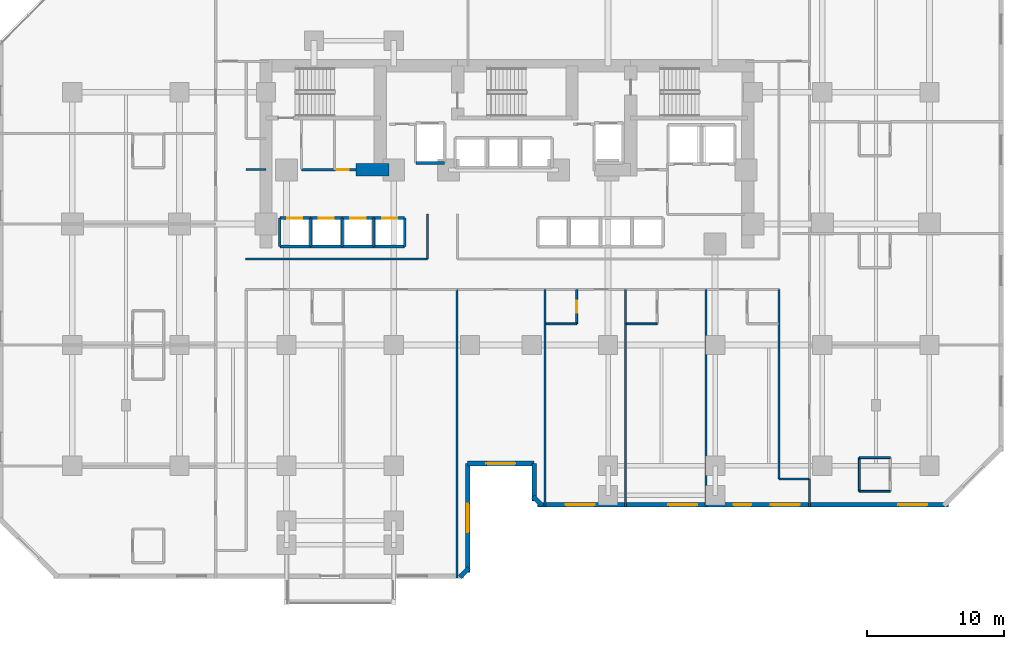
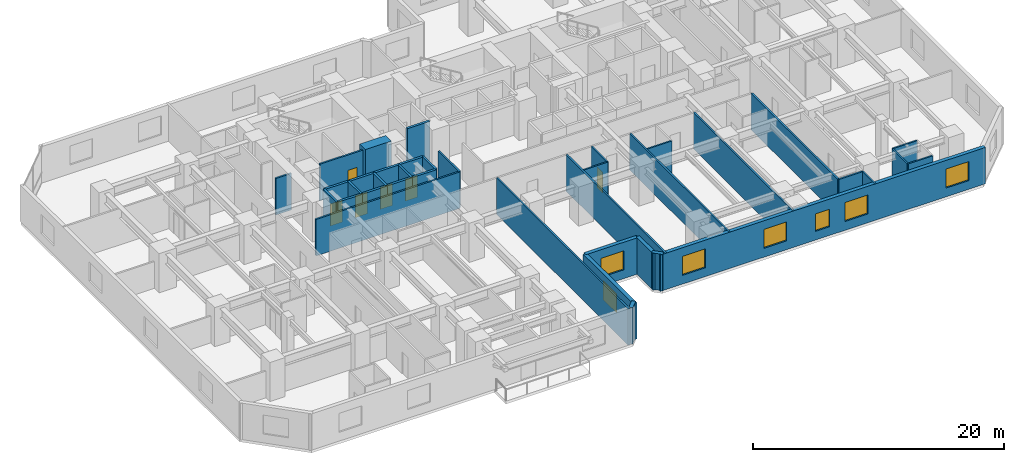
# One storey, part 6 of 12: 38 walls, 7 windows, 6 doors, 13 openings.
"""IFC4 building model written with IfcOpenShell, lengths in metres."""

from ifc_helpers import new_model, si_unit, direction, frame, frame_2d, origin, place, context, subcontext, project, spatial, rectangle, extrude, material, layer, layer_set, type_object, element, fill, save


model = new_model("IFC4")

# Units and contexts
model_context = context("Model", 3, precision=1e-05, world=origin(), true_north=direction((0.0, 1.0)))
body_context = subcontext(model_context, "Body", "Model", "MODEL_VIEW")
ifc_project = project(units=[si_unit("LENGTHUNIT", "METRE"), si_unit("AREAUNIT", "SQUARE_METRE"), si_unit("VOLUMEUNIT", "CUBIC_METRE"), si_unit("PLANEANGLEUNIT", "RADIAN"), si_unit("MASSUNIT", "GRAM", prefix="KILO")], contexts=[model_context])

# Site, building, storey
site_placement = place(None, origin())
site = spatial("IfcSite", under=ifc_project, at=site_placement, CompositionType="ELEMENT")
building_placement = place(site_placement, origin())
building = spatial("IfcBuilding", under=site, at=building_placement, Name="Kestravale Grand Hotel", CompositionType="ELEMENT")
storey_placement = place(building_placement, frame((0.0, 0.0, 52.60009765625)))
storey = spatial("IfcBuildingStorey", under=building, at=storey_placement, Name="L12", CompositionType="ELEMENT", Elevation=52.60009765625)

# Walls
ifc_material_1 = material(Name="Concrete f'c 70 MPa", Category="concrete")
ifc_layer_1 = layer(ifc_material_1, 0.89990234375)
ifc_layer_set_1 = layer_set([ifc_layer_1], Name="EW-CORE-900")
wall_type_1 = type_object("IfcWallType", Name="EW-CORE-900", PredefinedType="SHEAR", material=ifc_layer_set_1)
wall_1_placement = place(storey_placement, frame((28.449951171875, 32.75, 0.0), z_axis=(0.0, 0.0, 1.0), x_axis=(1.0, 0.0, 0.0)))
element("IfcWall", 1, at=wall_1_placement, inside=storey, type_object=wall_type_1, Name="L12 core shear wall S1", PredefinedType="SHEAR", context=body_context, shape_type="SweptSolid", body=[
    extrude(rectangle(XDim=2.400146484375, YDim=0.89990234375, at=frame_2d((1.2001953125, 0.0))), origin(), (0.0, 0.0, 1.0), 3.7998046875),
])
ifc_material_2 = material(Name="Precast concrete f'c 45 MPa", Category="concrete")
ifc_layer_2 = layer(ifc_material_2, 0.340087890625)
ifc_layer_set_2 = layer_set([ifc_layer_2], Name="EW-PREC-340")
wall_type_2 = type_object("IfcWallType", Name="EW-PREC-340", PredefinedType="SOLIDWALL", material=ifc_layer_set_2)
wall_2_placement = place(storey_placement, frame((36.00146484375, 3.091796875, 0.0), z_axis=(0.0, 0.0, 1.0), x_axis=(0.707106781187, 0.707106781187, 0.0)))
element("IfcWall", 2, at=wall_2_placement, inside=storey, type_object=wall_type_2, Name="L12 fluted precast facade wall 2", PredefinedType="SOLIDWALL", context=body_context, shape_type="SweptSolid", body=[
    extrude(rectangle(XDim=0.9287109375, YDim=0.340087890625, at=frame_2d((0.46435546875, 0.0))), origin(), (0.0, 0.0, 1.0), 3.539794921875),
])

# Wall, opening, window
wall_3_placement = place(storey_placement, frame((36.580078125, 3.429931640625, 0.0), z_axis=(0.0, 0.0, 1.0), x_axis=(0.0, 1.0, 0.0)))
wall_3 = element("IfcWall", 3, at=wall_3_placement, inside=storey, type_object=wall_type_2, Name="L12 fluted precast facade wall 3", PredefinedType="SOLIDWALL", context=body_context, shape_type="SweptSolid", body=[
    extrude(rectangle(XDim=7.940185546875, YDim=0.340087890625, at=frame_2d((3.97021484375, 0.0))), origin(), (0.0, 0.0, 1.0), 3.539794921875),
])
opening_1_placement = place(wall_3_placement, frame((2.919921875, 0.0, 0.85009765625)))
opening_1 = element("IfcOpeningElement", 4, at=opening_1_placement, cuts=wall_3, Name="Opening W-GUEST-2100", PredefinedType="OPENING", context=body_context, shape_type="SweptSolid", body=[
    extrude(rectangle(XDim=2.10009765625, YDim=1.85009765625, at=frame_2d((1.050048828125, 0.925048828125))), frame((0.0, 0.179931640625, 0.0), z_axis=(0.0, -1.0, 0.0), x_axis=(1.0, 0.0, 0.0)), (0.0, 0.0, 1.0), 0.360107421875),
])
ifc_material_3 = material(Name="Insulated low-E double glazing in aluminium frame", Category="aluminium")
window_type_1 = type_object("IfcWindowType", Name="W-GUEST-2100", PartitioningType="DOUBLE_PANEL_VERTICAL", PredefinedType="WINDOW", material=ifc_material_3)
window_1_placement = place(opening_1_placement, origin())
window_1 = element("IfcWindow", 5, at=window_1_placement, inside=storey, type_object=window_type_1, Name="L12 exterior window 3.1", OverallHeight=1.85009765625, OverallWidth=2.10009765625, PartitioningType="SINGLE_PANEL", PredefinedType="WINDOW", context=body_context, shape_type="SweptSolid", body=[
    extrude(rectangle(XDim=2.10009765625, YDim=1.85009765625, at=frame_2d((1.050048828125, 0.925048828125))), frame((0.0, 0.030029296875, 0.0), z_axis=(0.0, -1.0, 0.0), x_axis=(1.0, 0.0, 0.0)), (0.0, 0.0, 1.0), 0.06005859375),
])
fill(opening_1, window_1)

wall_4_placement = place(storey_placement, frame((36.580078125, 11.3701171875, 0.0), z_axis=(0.0, 0.0, 1.0), x_axis=(1.0, 0.0, 0.0)))
wall_4 = element("IfcWall", 6, at=wall_4_placement, inside=storey, type_object=wall_type_2, Name="L12 fluted precast facade wall 4", PredefinedType="SOLIDWALL", context=body_context, shape_type="SweptSolid", body=[
    extrude(rectangle(XDim=4.83984375, YDim=0.340087890625, at=frame_2d((2.419921875, 0.0))), origin(), (0.0, 0.0, 1.0), 3.539794921875),
])
opening_2_placement = place(wall_4_placement, frame((1.3701171875, 0.0, 0.85009765625)))
opening_2 = element("IfcOpeningElement", 7, at=opening_2_placement, cuts=wall_4, Name="Opening W-GUEST-2100", PredefinedType="OPENING", context=body_context, shape_type="SweptSolid", body=[
    extrude(rectangle(XDim=2.10009765625, YDim=1.85009765625, at=frame_2d((1.050048828125, 0.925048828125))), frame((0.0, 0.179931640625, 0.0), z_axis=(0.0, -1.0, 0.0), x_axis=(1.0, 0.0, 0.0)), (0.0, 0.0, 1.0), 0.360107421875),
])
window_2_placement = place(opening_2_placement, origin())
window_2 = element("IfcWindow", 8, at=window_2_placement, inside=storey, type_object=window_type_1, Name="L12 exterior window 4.1", OverallHeight=1.85009765625, OverallWidth=2.10009765625, PartitioningType="SINGLE_PANEL", PredefinedType="WINDOW", context=body_context, shape_type="SweptSolid", body=[
    extrude(rectangle(XDim=2.10009765625, YDim=1.85009765625, at=frame_2d((1.050048828125, 0.925048828125))), frame((0.0, 0.030029296875, 0.0), z_axis=(0.0, -1.0, 0.0), x_axis=(1.0, 0.0, 0.0)), (0.0, 0.0, 1.0), 0.06005859375),
])
fill(opening_2, window_2)

# Walls
wall_5_placement = place(storey_placement, frame((41.419921875, 11.3701171875, 0.0), z_axis=(0.0, 0.0, 1.0), x_axis=(0.0, -1.0, 0.0)))
element("IfcWall", 9, at=wall_5_placement, inside=storey, type_object=wall_type_2, Name="L12 fluted precast facade wall 5", PredefinedType="SOLIDWALL", context=body_context, shape_type="SweptSolid", body=[
    extrude(rectangle(XDim=2.740234375, YDim=0.340087890625, at=frame_2d((1.3701171875, 0.0))), origin(), (0.0, 0.0, 1.0), 3.539794921875),
])
wall_6_placement = place(storey_placement, frame((41.341796875, 8.948486328125, 0.0), z_axis=(0.0, 0.0, 1.0), x_axis=(0.707238225886, -0.706975312048, 0.0)))
element("IfcWall", 10, at=wall_6_placement, inside=storey, type_object=wall_type_2, Name="L12 fluted precast facade wall 6", PredefinedType="SOLIDWALL", context=body_context, shape_type="SweptSolid", body=[
    extrude(rectangle(XDim=0.9287109375, YDim=0.340087890625, at=frame_2d((0.46435546875, 0.0))), origin(), (0.0, 0.0, 1.0), 3.539794921875),
])

# Wall, openings, windows
wall_7_placement = place(storey_placement, frame((41.679931640625, 8.3701171875, 0.0), z_axis=(0.0, 0.0, 1.0), x_axis=(1.0, 0.0, 0.0)))
wall_7 = element("IfcWall", 11, at=wall_7_placement, inside=storey, type_object=wall_type_2, Name="L12 fluted precast facade wall 7", PredefinedType="SOLIDWALL", context=body_context, shape_type="SweptSolid", body=[
    extrude(rectangle(XDim=29.89013671875, YDim=0.340087890625, at=frame_2d((14.945068359375, 0.0))), origin(), (0.0, 0.0, 1.0), 3.539794921875),
])
opening_3_placement = place(wall_7_placement, frame((2.0361328125, 0.0, 0.85009765625)))
opening_3 = element("IfcOpeningElement", 12, at=opening_3_placement, cuts=wall_7, Name="Opening W-GUEST-2100", PredefinedType="OPENING", context=body_context, shape_type="SweptSolid", body=[
    extrude(rectangle(XDim=2.10009765625, YDim=1.85009765625, at=frame_2d((1.050048828125, 0.925048828125))), frame((0.0, 0.179931640625, 0.0), z_axis=(0.0, -1.0, 0.0), x_axis=(1.0, 0.0, 0.0)), (0.0, 0.0, 1.0), 0.360107421875),
])
opening_4_placement = place(wall_7_placement, frame((9.5087890625, 0.0, 0.85009765625)))
opening_4 = element("IfcOpeningElement", 13, at=opening_4_placement, cuts=wall_7, Name="Opening W-GUEST-2100", PredefinedType="OPENING", context=body_context, shape_type="SweptSolid", body=[
    extrude(rectangle(XDim=2.10009765625, YDim=1.85009765625, at=frame_2d((1.050048828125, 0.925048828125))), frame((0.0, 0.179931640625, 0.0), z_axis=(0.0, -1.0, 0.0), x_axis=(1.0, 0.0, 0.0)), (0.0, 0.0, 1.0), 0.360107421875),
])
opening_5_placement = place(wall_7_placement, frame((16.981201171875, 0.0, 0.85009765625)))
opening_5 = element("IfcOpeningElement", 14, at=opening_5_placement, cuts=wall_7, Name="Opening W-GUEST-2100", PredefinedType="OPENING", context=body_context, shape_type="SweptSolid", body=[
    extrude(rectangle(XDim=2.10009765625, YDim=1.85009765625, at=frame_2d((1.050048828125, 0.925048828125))), frame((0.0, 0.179931640625, 0.0), z_axis=(0.0, -1.0, 0.0), x_axis=(1.0, 0.0, 0.0)), (0.0, 0.0, 1.0), 0.360107421875),
])
opening_6_placement = place(wall_7_placement, frame((26.253662109375, 0.0, 0.85009765625)))
opening_6 = element("IfcOpeningElement", 15, at=opening_6_placement, cuts=wall_7, Name="Opening W-GUEST-2100", PredefinedType="OPENING", context=body_context, shape_type="SweptSolid", body=[
    extrude(rectangle(XDim=2.10009765625, YDim=1.85009765625, at=frame_2d((1.050048828125, 0.925048828125))), frame((0.0, 0.179931640625, 0.0), z_axis=(0.0, -1.0, 0.0), x_axis=(1.0, 0.0, 0.0)), (0.0, 0.0, 1.0), 0.360107421875),
])
opening_7_placement = place(wall_7_placement, frame((14.264892578125, 0.0, 0.85009765625)))
opening_7 = element("IfcOpeningElement", 16, at=opening_7_placement, cuts=wall_7, Name="Opening W-GUEST-1300", PredefinedType="OPENING", context=body_context, shape_type="SweptSolid", body=[
    extrude(rectangle(XDim=1.300048828125, YDim=1.699951171875, at=frame_2d((0.64990234375, 0.85009765625))), frame((0.0, 0.179931640625, 0.0), z_axis=(0.0, -1.0, 0.0), x_axis=(1.0, 0.0, 0.0)), (0.0, 0.0, 1.0), 0.360107421875),
])
ifc_material_4 = material(Name="Insulated low-E double glazing in aluminium frame", Category="aluminium")
window_type_2 = type_object("IfcWindowType", Name="W-GUEST-1300", PartitioningType="SINGLE_PANEL", PredefinedType="WINDOW", material=ifc_material_4)
window_3_placement = place(opening_7_placement, origin())
window_3 = element("IfcWindow", 17, at=window_3_placement, inside=storey, type_object=window_type_2, Name="L12 guestroom envelope window 1", OverallHeight=1.699951171875, OverallWidth=1.300048828125, PartitioningType="SINGLE_PANEL", PredefinedType="WINDOW", context=body_context, shape_type="SweptSolid", body=[
    extrude(rectangle(XDim=1.300048828125, YDim=1.699951171875, at=frame_2d((0.64990234375, 0.85009765625))), frame((0.0, 0.030029296875, 0.0), z_axis=(0.0, -1.0, 0.0), x_axis=(1.0, 0.0, 0.0)), (0.0, 0.0, 1.0), 0.06005859375),
])
fill(opening_7, window_3)
window_4_placement = place(opening_3_placement, origin())
window_4 = element("IfcWindow", 18, at=window_4_placement, inside=storey, type_object=window_type_1, Name="L12 exterior window 7.1", OverallHeight=1.85009765625, OverallWidth=2.10009765625, PartitioningType="SINGLE_PANEL", PredefinedType="WINDOW", context=body_context, shape_type="SweptSolid", body=[
    extrude(rectangle(XDim=2.10009765625, YDim=1.85009765625, at=frame_2d((1.050048828125, 0.925048828125))), frame((0.0, 0.030029296875, 0.0), z_axis=(0.0, -1.0, 0.0), x_axis=(1.0, 0.0, 0.0)), (0.0, 0.0, 1.0), 0.06005859375),
])
fill(opening_3, window_4)
window_5_placement = place(opening_4_placement, origin())
window_5 = element("IfcWindow", 19, at=window_5_placement, inside=storey, type_object=window_type_1, Name="L12 exterior window 7.2", OverallHeight=1.85009765625, OverallWidth=2.10009765625, PartitioningType="SINGLE_PANEL", PredefinedType="WINDOW", context=body_context, shape_type="SweptSolid", body=[
    extrude(rectangle(XDim=2.10009765625, YDim=1.85009765625, at=frame_2d((1.050048828125, 0.925048828125))), frame((0.0, 0.030029296875, 0.0), z_axis=(0.0, -1.0, 0.0), x_axis=(1.0, 0.0, 0.0)), (0.0, 0.0, 1.0), 0.06005859375),
])
fill(opening_4, window_5)
window_6_placement = place(opening_5_placement, origin())
window_6 = element("IfcWindow", 20, at=window_6_placement, inside=storey, type_object=window_type_1, Name="L12 exterior window 7.3", OverallHeight=1.85009765625, OverallWidth=2.10009765625, PartitioningType="SINGLE_PANEL", PredefinedType="WINDOW", context=body_context, shape_type="SweptSolid", body=[
    extrude(rectangle(XDim=2.10009765625, YDim=1.85009765625, at=frame_2d((1.050048828125, 0.925048828125))), frame((0.0, 0.030029296875, 0.0), z_axis=(0.0, -1.0, 0.0), x_axis=(1.0, 0.0, 0.0)), (0.0, 0.0, 1.0), 0.06005859375),
])
fill(opening_5, window_6)
window_7_placement = place(opening_6_placement, origin())
window_7 = element("IfcWindow", 21, at=window_7_placement, inside=storey, type_object=window_type_1, Name="L12 exterior window 7.4", OverallHeight=1.85009765625, OverallWidth=2.10009765625, PartitioningType="SINGLE_PANEL", PredefinedType="WINDOW", context=body_context, shape_type="SweptSolid", body=[
    extrude(rectangle(XDim=2.10009765625, YDim=1.85009765625, at=frame_2d((1.050048828125, 0.925048828125))), frame((0.0, 0.030029296875, 0.0), z_axis=(0.0, -1.0, 0.0), x_axis=(1.0, 0.0, 0.0)), (0.0, 0.0, 1.0), 0.06005859375),
])
fill(opening_6, window_7)

# Wall, opening, door
ifc_material_5 = material(Name="Acoustic fire-rated gypsum board partition", Category="other")
ifc_layer_3 = layer(ifc_material_5, 0.159912109375)
ifc_layer_set_3 = layer_set([ifc_layer_3], Name="IW-CORR-160")
wall_type_3 = type_object("IfcWallType", Name="IW-CORR-160", PredefinedType="PARTITIONING", material=ifc_layer_set_3)
wall_8_placement = place(storey_placement, frame((24.47998046875, 32.75, 0.0), z_axis=(0.0, 0.0, 1.0), x_axis=(1.0, 0.0, 0.0)))
wall_8 = element("IfcWall", 22, at=wall_8_placement, inside=storey, type_object=wall_type_3, Name="W-L12-CWS", PredefinedType="PARTITIONING", context=body_context, shape_type="SweptSolid", body=[
    extrude(rectangle(XDim=3.969970703125, YDim=0.159912109375, at=frame_2d((1.98486328125, 0.0))), origin(), (0.0, 0.0, 1.0), 3.539794921875),
])
opening_8_placement = place(wall_8_placement, frame((2.5849609375, 0.0, 0.0)))
opening_8 = element("IfcOpeningElement", 23, at=opening_8_placement, cuts=wall_8, Name="Opening D-SH-860", PredefinedType="OPENING", context=body_context, shape_type="SweptSolid", body=[
    extrude(rectangle(XDim=0.860107421875, YDim=2.050048828125, at=frame_2d((0.43017578125, 1.02490234375))), frame((0.0, 0.08984375, 0.0), z_axis=(0.0, -1.0, 0.0), x_axis=(1.0, 0.0, 0.0)), (0.0, 0.0, 1.0), 0.179931640625),
])
ifc_material_6 = material(Name="Galvanised 90-minute riser fire door", Category="steel")
door_type_1 = type_object("IfcDoorType", Name="D-SH-860", OperationType="NOTDEFINED", PredefinedType="DOOR", material=ifc_material_6)
door_1_placement = place(opening_8_placement, origin())
door_1 = element("IfcDoor", 24, at=door_1_placement, inside=storey, type_object=door_type_1, Name="D-L12-ELEC", OperationType="SINGLE_SWING_RIGHT", OverallHeight=2.050048828125, OverallWidth=0.860107421875, PredefinedType="DOOR", context=body_context, shape_type="SweptSolid", body=[
    extrude(rectangle(XDim=0.860107421875, YDim=2.050048828125, at=frame_2d((0.43017578125, 1.02490234375))), frame((0.0, 0.02490234375, 0.0), z_axis=(0.0, -1.0, 0.0), x_axis=(1.0, 0.0, 0.0)), (0.0, 0.0, 1.0), 0.050048828125),
])
fill(opening_8, door_1)

# Walls
wall_9_placement = place(storey_placement, frame((20.39990234375, 26.260009765625, 0.0), z_axis=(0.0, 0.0, 1.0), x_axis=(1.0, 0.0, 0.0)))
element("IfcWall", 25, at=wall_9_placement, inside=storey, type_object=wall_type_3, Name="W-L12-CW-N", PredefinedType="PARTITIONING", context=body_context, shape_type="SweptSolid", body=[
    extrude(rectangle(XDim=13.25, YDim=0.159912109375, at=frame_2d((6.625, 0.0))), origin(), (0.0, 0.0, 1.0), 3.539794921875),
])
wall_10_placement = place(storey_placement, frame((33.64990234375, 26.260009765625, 0.0), z_axis=(0.0, 0.0, 1.0), x_axis=(0.0, 1.0, 0.0)))
element("IfcWall", 26, at=wall_10_placement, inside=storey, type_object=wall_type_3, Name="W-L12-TRUNK-W", PredefinedType="PARTITIONING", context=body_context, shape_type="SweptSolid", body=[
    extrude(rectangle(XDim=3.2900390625, YDim=0.159912109375, at=frame_2d((1.64501953125, 0.0))), origin(), (0.0, 0.0, 1.0), 3.539794921875),
])
wall_11_placement = place(storey_placement, frame((20.4599609375, 32.780029296875, 0.0), z_axis=(0.0, 0.0, 1.0), x_axis=(1.0, 0.0, 0.0)))
element("IfcWall", 27, at=wall_11_placement, inside=storey, type_object=wall_type_3, Name="W-L12-SW-CS", PredefinedType="PARTITIONING", context=body_context, shape_type="SweptSolid", body=[
    extrude(rectangle(XDim=1.43994140625, YDim=0.159912109375, at=frame_2d((0.719970703125, 0.0))), origin(), (0.0, 0.0, 1.0), 3.539794921875),
])
wall_12_placement = place(storey_placement, frame((59.239990234375, 10.25, 0.0), z_axis=(0.0, 0.0, 1.0), x_axis=(0.0, 1.0, 0.0)))
element("IfcWall", 28, at=wall_12_placement, inside=storey, type_object=wall_type_3, Name="W-L12-SE-W", PredefinedType="PARTITIONING", context=body_context, shape_type="SweptSolid", body=[
    extrude(rectangle(XDim=13.7900390625, YDim=0.159912109375, at=frame_2d((6.89501953125, 0.0))), origin(), (0.0, 0.0, 1.0), 3.539794921875),
])

# Wall, opening, door
ifc_material_7 = material(Name="Moisture-resistant tile-backer plumbing chase wall", Category="other")
ifc_layer_4 = layer(ifc_material_7, 0.139892578125)
ifc_layer_set_4 = layer_set([ifc_layer_4], Name="IW-PLB-140")
wall_type_4 = type_object("IfcWallType", Name="IW-PLB-140", PredefinedType="PLUMBINGWALL", material=ifc_layer_set_4)
wall_13_placement = place(storey_placement, frame((44.52001953125, 21.530029296875, 0.0), z_axis=(0.0, 0.0, 1.0), x_axis=(0.0, 1.0, 0.0)))
wall_13 = element("IfcWall", 29, at=wall_13_placement, inside=storey, type_object=wall_type_4, Name="W-L12-U02-BE", PredefinedType="PLUMBINGWALL", context=body_context, shape_type="SweptSolid", body=[
    extrude(rectangle(XDim=2.489990234375, YDim=0.139892578125, at=frame_2d((1.2451171875, 0.0))), origin(), (0.0, 0.0, 1.0), 3.539794921875),
])
opening_9_placement = place(wall_13_placement, frame((0.804931640625, 0.0, 0.0)))
opening_9 = element("IfcOpeningElement", 30, at=opening_9_placement, cuts=wall_13, Name="Opening D-BATH-880", PredefinedType="OPENING", context=body_context, shape_type="SweptSolid", body=[
    extrude(rectangle(XDim=0.8798828125, YDim=2.050048828125, at=frame_2d((0.43994140625, 1.02490234375))), frame((0.0, 0.079833984375, 0.0), z_axis=(0.0, -1.0, 0.0), x_axis=(1.0, 0.0, 0.0)), (0.0, 0.0, 1.0), 0.159912109375),
])
ifc_material_8 = material(Name="Moisture-sealed walnut en-suite bathroom door", Category="wood")
door_type_2 = type_object("IfcDoorType", Name="D-BATH-880", OperationType="NOTDEFINED", PredefinedType="DOOR", material=ifc_material_8)
door_2_placement = place(opening_9_placement, origin())
door_2 = element("IfcDoor", 31, at=door_2_placement, inside=storey, type_object=door_type_2, Name="D-L12-U02-BATH", OperationType="SINGLE_SWING_LEFT", OverallHeight=2.050048828125, OverallWidth=0.8798828125, PredefinedType="DOOR", context=body_context, shape_type="SweptSolid", body=[
    extrude(rectangle(XDim=0.8798828125, YDim=2.050048828125, at=frame_2d((0.43994140625, 1.02490234375))), frame((0.0, 0.02490234375, 0.0), z_axis=(0.0, -1.0, 0.0), x_axis=(1.0, 0.0, 0.0)), (0.0, 0.0, 1.0), 0.050048828125),
])
fill(opening_9, door_2)

# Walls
for number, where, z_axis, x_axis, name in (
    (32, (42.27001953125, 21.530029296875, 0.0), (0.0, 0.0, 1.0), (1.0, 0.0, 0.0), "W-L12-U02-BS"),
    (33, (48.1298828125, 21.530029296875, 0.0), (0.0, 0.0, 1.0), (1.0, 0.0, 0.0), "W-L12-U03-BS"),
):
    element("IfcWall", number, at=place(storey_placement, frame(where, z_axis=z_axis, x_axis=x_axis)), inside=storey, type_object=wall_type_4, Name=name, PredefinedType="PLUMBINGWALL", context=body_context, shape_type="SweptSolid", body=[
        extrude(rectangle(XDim=2.25, YDim=0.139892578125, at=frame_2d((1.125, 0.0))), origin(), (0.0, 0.0, 1.0), 3.539794921875),
    ])
wall_14_placement = place(storey_placement, frame((65.10009765625, 9.35009765625, 0.0), z_axis=(0.0, 0.0, 1.0), x_axis=(0.0, 1.0, 0.0)))
element("IfcWall", 34, at=wall_14_placement, inside=storey, type_object=wall_type_4, Name="W-L12-U09-BW", PredefinedType="PLUMBINGWALL", context=body_context, shape_type="SweptSolid", body=[
    extrude(rectangle(XDim=2.449951171875, YDim=0.139892578125, at=frame_2d((1.22509765625, 0.0))), origin(), (0.0, 0.0, 1.0), 3.539794921875),
])
for number, where, z_axis, x_axis, name in (
    (35, (65.10009765625, 9.35009765625, 0.0), (0.0, 0.0, 1.0), (1.0, 0.0, 0.0), "W-L12-U09-BS"),
    (36, (65.10009765625, 11.800048828125, 0.0), (0.0, 0.0, 1.0), (1.0, 0.0, 0.0), "W-L12-U09-BN"),
):
    element("IfcWall", number, at=place(storey_placement, frame(where, z_axis=z_axis, x_axis=x_axis)), inside=storey, type_object=wall_type_4, Name=name, PredefinedType="PLUMBINGWALL", context=body_context, shape_type="SweptSolid", body=[
        extrude(rectangle(XDim=2.25, YDim=0.139892578125, at=frame_2d((1.125, 0.0))), origin(), (0.0, 0.0, 1.0), 3.539794921875),
    ])
ifc_material_9 = material(Name="Concrete f'c 45 MPa", Category="concrete")
ifc_layer_5 = layer(ifc_material_9, 0.199951171875)
ifc_layer_set_5 = layer_set([ifc_layer_5], Name="IW-SHAFT-200")
wall_type_5 = type_object("IfcWallType", Name="IW-SHAFT-200", PredefinedType="SHEAR", material=ifc_layer_set_5)
for number, where, z_axis, x_axis, name in (
    (37, (22.905029296875, 27.169921875, 0.0), (0.0, 0.0, 1.0), (0.0, 1.0, 0.0), "L12 PL-L1 west shaft wall"),
    (38, (25.14990234375, 27.169921875, 0.0), (0.0, 0.0, 1.0), (0.0, 1.0, 0.0), "L12 PL-L2 west shaft wall"),
    (39, (27.449951171875, 27.169921875, 0.0), (0.0, 0.0, 1.0), (0.0, 1.0, 0.0), "L12 PL-L3 west shaft wall"),
    (40, (29.75, 27.169921875, 0.0), (0.0, 0.0, 1.0), (0.0, 1.0, 0.0), "L12 PL-L4 west shaft wall"),
    (41, (31.9951171875, 27.169921875, 0.0), (0.0, 0.0, 1.0), (0.0, 1.0, 0.0), "L12 PL-L4 east shaft wall"),
):
    element("IfcWall", number, at=place(storey_placement, frame(where, z_axis=z_axis, x_axis=x_axis)), inside=storey, type_object=wall_type_5, Name=name, PredefinedType="SHEAR", context=body_context, shape_type="SweptSolid", body=[
        extrude(rectangle(XDim=2.06005859375, YDim=0.199951171875, at=frame_2d((1.030029296875, 0.0))), origin(), (0.0, 0.0, 1.0), 3.7998046875),
    ])

# Wall, opening, door
ifc_material_10 = material(Name="Concrete f'c 45 MPa", Category="concrete")
ifc_layer_6 = layer(ifc_material_10, 0.219970703125)
ifc_layer_set_6 = layer_set([ifc_layer_6], Name="IW-SHAFT-220")
wall_type_6 = type_object("IfcWallType", Name="IW-SHAFT-220", PredefinedType="SHEAR", material=ifc_layer_set_6)
wall_15_placement = place(storey_placement, frame((22.905029296875, 29.22998046875, 0.0), z_axis=(0.0, 0.0, 1.0), x_axis=(1.0, 0.0, 0.0)))
wall_15 = element("IfcWall", 42, at=wall_15_placement, inside=storey, type_object=wall_type_6, Name="L12 PL-L1 north shaft wall", PredefinedType="SHEAR", context=body_context, shape_type="SweptSolid", body=[
    extrude(rectangle(XDim=2.244873046875, YDim=0.219970703125, at=frame_2d((1.12255859375, 0.0))), origin(), (0.0, 0.0, 1.0), 3.7998046875),
])
opening_10_placement = place(wall_15_placement, frame((0.544921875, 0.0, 0.0)))
opening_10 = element("IfcOpeningElement", 43, at=opening_10_placement, cuts=wall_15, Name="Opening LD-PAX-1100", PredefinedType="OPENING", context=body_context, shape_type="SweptSolid", body=[
    extrude(rectangle(XDim=1.10009765625, YDim=2.14990234375, at=frame_2d((0.550048828125, 1.074951171875))), frame((0.0, 0.119873046875, 0.0), z_axis=(0.0, -1.0, 0.0), x_axis=(1.0, 0.0, 0.0)), (0.0, 0.0, 1.0), 0.239990234375),
])
ifc_material_11 = material(Name="Champagne-bronze center-opening sliding elevator landing door", Category="steel")
door_type_3 = type_object("IfcDoorType", Name="LD-PAX-1100", OperationType="NOTDEFINED", PredefinedType="DOOR", material=ifc_material_11)
door_3_placement = place(opening_10_placement, origin())
door_3 = element("IfcDoor", 44, at=door_3_placement, inside=storey, type_object=door_type_3, Name="L12 PL-L1 elevator landing sliding door", OperationType="DOUBLE_DOOR_SLIDING", OverallHeight=2.14990234375, OverallWidth=1.10009765625, PredefinedType="DOOR", context=body_context, shape_type="SweptSolid", body=[
    extrude(rectangle(XDim=1.10009765625, YDim=2.14990234375, at=frame_2d((0.550048828125, 1.074951171875))), frame((0.0, 0.02490234375, 0.0), z_axis=(0.0, -1.0, 0.0), x_axis=(1.0, 0.0, 0.0)), (0.0, 0.0, 1.0), 0.050048828125),
])
fill(opening_10, door_3)

# Wall
wall_16_placement = place(storey_placement, frame((22.905029296875, 27.169921875, 0.0), z_axis=(0.0, 0.0, 1.0), x_axis=(1.0, 0.0, 0.0)))
element("IfcWall", 45, at=wall_16_placement, inside=storey, type_object=wall_type_6, Name="L12 PL-L1 south shaft wall", PredefinedType="SHEAR", context=body_context, shape_type="SweptSolid", body=[
    extrude(rectangle(XDim=2.244873046875, YDim=0.219970703125, at=frame_2d((1.12255859375, 0.0))), origin(), (0.0, 0.0, 1.0), 3.7998046875),
])

# Wall, opening, door
wall_17_placement = place(storey_placement, frame((25.14990234375, 29.22998046875, 0.0), z_axis=(0.0, 0.0, 1.0), x_axis=(1.0, 0.0, 0.0)))
wall_17 = element("IfcWall", 46, at=wall_17_placement, inside=storey, type_object=wall_type_6, Name="L12 PL-L2 north shaft wall", PredefinedType="SHEAR", context=body_context, shape_type="SweptSolid", body=[
    extrude(rectangle(XDim=2.300048828125, YDim=0.219970703125, at=frame_2d((1.14990234375, 0.0))), origin(), (0.0, 0.0, 1.0), 3.7998046875),
])
opening_11_placement = place(wall_17_placement, frame((0.60009765625, 0.0, 0.0)))
opening_11 = element("IfcOpeningElement", 47, at=opening_11_placement, cuts=wall_17, Name="Opening LD-PAX-1100", PredefinedType="OPENING", context=body_context, shape_type="SweptSolid", body=[
    extrude(rectangle(XDim=1.10009765625, YDim=2.14990234375, at=frame_2d((0.550048828125, 1.074951171875))), frame((0.0, 0.119873046875, 0.0), z_axis=(0.0, -1.0, 0.0), x_axis=(1.0, 0.0, 0.0)), (0.0, 0.0, 1.0), 0.239990234375),
])
door_4_placement = place(opening_11_placement, origin())
door_4 = element("IfcDoor", 48, at=door_4_placement, inside=storey, type_object=door_type_3, Name="L12 PL-L2 elevator landing sliding door", OperationType="DOUBLE_DOOR_SLIDING", OverallHeight=2.14990234375, OverallWidth=1.10009765625, PredefinedType="DOOR", context=body_context, shape_type="SweptSolid", body=[
    extrude(rectangle(XDim=1.10009765625, YDim=2.14990234375, at=frame_2d((0.550048828125, 1.074951171875))), frame((0.0, 0.02490234375, 0.0), z_axis=(0.0, -1.0, 0.0), x_axis=(1.0, 0.0, 0.0)), (0.0, 0.0, 1.0), 0.050048828125),
])
fill(opening_11, door_4)

# Wall
wall_18_placement = place(storey_placement, frame((25.14990234375, 27.169921875, 0.0), z_axis=(0.0, 0.0, 1.0), x_axis=(1.0, 0.0, 0.0)))
element("IfcWall", 49, at=wall_18_placement, inside=storey, type_object=wall_type_6, Name="L12 PL-L2 south shaft wall", PredefinedType="SHEAR", context=body_context, shape_type="SweptSolid", body=[
    extrude(rectangle(XDim=2.300048828125, YDim=0.219970703125, at=frame_2d((1.14990234375, 0.0))), origin(), (0.0, 0.0, 1.0), 3.7998046875),
])

# Wall, opening, door
wall_19_placement = place(storey_placement, frame((27.449951171875, 29.22998046875, 0.0), z_axis=(0.0, 0.0, 1.0), x_axis=(1.0, 0.0, 0.0)))
wall_19 = element("IfcWall", 50, at=wall_19_placement, inside=storey, type_object=wall_type_6, Name="L12 PL-L3 north shaft wall", PredefinedType="SHEAR", context=body_context, shape_type="SweptSolid", body=[
    extrude(rectangle(XDim=2.300048828125, YDim=0.219970703125, at=frame_2d((1.14990234375, 0.0))), origin(), (0.0, 0.0, 1.0), 3.7998046875),
])
opening_12_placement = place(wall_19_placement, frame((0.60009765625, 0.0, 0.0)))
opening_12 = element("IfcOpeningElement", 51, at=opening_12_placement, cuts=wall_19, Name="Opening LD-PAX-1100", PredefinedType="OPENING", context=body_context, shape_type="SweptSolid", body=[
    extrude(rectangle(XDim=1.10009765625, YDim=2.14990234375, at=frame_2d((0.550048828125, 1.074951171875))), frame((0.0, 0.119873046875, 0.0), z_axis=(0.0, -1.0, 0.0), x_axis=(1.0, 0.0, 0.0)), (0.0, 0.0, 1.0), 0.239990234375),
])
door_5_placement = place(opening_12_placement, origin())
door_5 = element("IfcDoor", 52, at=door_5_placement, inside=storey, type_object=door_type_3, Name="L12 PL-L3 elevator landing sliding door", OperationType="DOUBLE_DOOR_SLIDING", OverallHeight=2.14990234375, OverallWidth=1.10009765625, PredefinedType="DOOR", context=body_context, shape_type="SweptSolid", body=[
    extrude(rectangle(XDim=1.10009765625, YDim=2.14990234375, at=frame_2d((0.550048828125, 1.074951171875))), frame((0.0, 0.02490234375, 0.0), z_axis=(0.0, -1.0, 0.0), x_axis=(1.0, 0.0, 0.0)), (0.0, 0.0, 1.0), 0.050048828125),
])
fill(opening_12, door_5)

# Wall
wall_20_placement = place(storey_placement, frame((27.449951171875, 27.169921875, 0.0), z_axis=(0.0, 0.0, 1.0), x_axis=(1.0, 0.0, 0.0)))
element("IfcWall", 53, at=wall_20_placement, inside=storey, type_object=wall_type_6, Name="L12 PL-L3 south shaft wall", PredefinedType="SHEAR", context=body_context, shape_type="SweptSolid", body=[
    extrude(rectangle(XDim=2.300048828125, YDim=0.219970703125, at=frame_2d((1.14990234375, 0.0))), origin(), (0.0, 0.0, 1.0), 3.7998046875),
])

# Wall, opening, door
wall_21_placement = place(storey_placement, frame((29.75, 29.22998046875, 0.0), z_axis=(0.0, 0.0, 1.0), x_axis=(1.0, 0.0, 0.0)))
wall_21 = element("IfcWall", 54, at=wall_21_placement, inside=storey, type_object=wall_type_6, Name="L12 PL-L4 north shaft wall", PredefinedType="SHEAR", context=body_context, shape_type="SweptSolid", body=[
    extrude(rectangle(XDim=2.2451171875, YDim=0.219970703125, at=frame_2d((1.12255859375, 0.0))), origin(), (0.0, 0.0, 1.0), 3.7998046875),
])
opening_13_placement = place(wall_21_placement, frame((0.60009765625, 0.0, 0.0)))
opening_13 = element("IfcOpeningElement", 55, at=opening_13_placement, cuts=wall_21, Name="Opening LD-PAX-1100", PredefinedType="OPENING", context=body_context, shape_type="SweptSolid", body=[
    extrude(rectangle(XDim=1.10009765625, YDim=2.14990234375, at=frame_2d((0.550048828125, 1.074951171875))), frame((0.0, 0.119873046875, 0.0), z_axis=(0.0, -1.0, 0.0), x_axis=(1.0, 0.0, 0.0)), (0.0, 0.0, 1.0), 0.239990234375),
])
door_6_placement = place(opening_13_placement, origin())
door_6 = element("IfcDoor", 56, at=door_6_placement, inside=storey, type_object=door_type_3, Name="L12 PL-L4 elevator landing sliding door", OperationType="DOUBLE_DOOR_SLIDING", OverallHeight=2.14990234375, OverallWidth=1.10009765625, PredefinedType="DOOR", context=body_context, shape_type="SweptSolid", body=[
    extrude(rectangle(XDim=1.10009765625, YDim=2.14990234375, at=frame_2d((0.550048828125, 1.074951171875))), frame((0.0, 0.02490234375, 0.0), z_axis=(0.0, -1.0, 0.0), x_axis=(1.0, 0.0, 0.0)), (0.0, 0.0, 1.0), 0.050048828125),
])
fill(opening_13, door_6)

# Walls
wall_22_placement = place(storey_placement, frame((29.75, 27.169921875, 0.0), z_axis=(0.0, 0.0, 1.0), x_axis=(1.0, 0.0, 0.0)))
element("IfcWall", 57, at=wall_22_placement, inside=storey, type_object=wall_type_6, Name="L12 PL-L4 south shaft wall", PredefinedType="SHEAR", context=body_context, shape_type="SweptSolid", body=[
    extrude(rectangle(XDim=2.2451171875, YDim=0.219970703125, at=frame_2d((1.12255859375, 0.0))), origin(), (0.0, 0.0, 1.0), 3.7998046875),
])
wall_23_placement = place(storey_placement, frame((32.804931640625, 33.2451171875, 0.0), z_axis=(0.0, 0.0, 1.0), x_axis=(1.0, 0.0, 0.0)))
element("IfcWall", 58, at=wall_23_placement, inside=storey, type_object=wall_type_6, Name="L12 FL-1 south shaft wall", PredefinedType="SHEAR", context=body_context, shape_type="SweptSolid", body=[
    extrude(rectangle(XDim=2.090087890625, YDim=0.219970703125, at=frame_2d((1.044921875, 0.0))), origin(), (0.0, 0.0, 1.0), 3.7998046875),
])
ifc_material_12 = material(Name="Double-stud STC 52 acoustic demising partition", Category="other")
ifc_layer_7 = layer(ifc_material_12, 0.14990234375)
ifc_layer_set_7 = layer_set([ifc_layer_7], Name="IW-UNIT-150")
wall_type_7 = type_object("IfcWallType", Name="IW-UNIT-150", PredefinedType="PARTITIONING", material=ifc_layer_set_7)
wall_24_placement = place(storey_placement, frame((59.239990234375, 10.25, 0.0), z_axis=(0.0, 0.0, 1.0), x_axis=(1.0, 0.0, 0.0)))
element("IfcWall", 59, at=wall_24_placement, inside=storey, type_object=wall_type_7, Name="W-L12-SE-S", PredefinedType="PARTITIONING", context=body_context, shape_type="SweptSolid", body=[
    extrude(rectangle(XDim=2.219970703125, YDim=0.14990234375, at=frame_2d((1.10986328125, 0.0))), origin(), (0.0, 0.0, 1.0), 3.539794921875),
])
wall_25_placement = place(storey_placement, frame((35.800048828125, 3.02001953125, 0.0), z_axis=(0.0, 0.0, 1.0), x_axis=(0.0, 1.0, 0.0)))
element("IfcWall", 60, at=wall_25_placement, inside=storey, type_object=wall_type_7, Name="W-L12-MID-S", PredefinedType="PARTITIONING", context=body_context, shape_type="SweptSolid", body=[
    extrude(rectangle(XDim=21.0, YDim=0.14990234375, at=frame_2d((10.5, 0.0))), origin(), (0.0, 0.0, 1.0), 3.539794921875),
])
for number, where, z_axis, x_axis, name in (
    (61, (42.2099609375, 8.219970703125, 0.0), (0.0, 0.0, 1.0), (0.0, 1.0, 0.0), "W-L12-ES-1"),
    (62, (48.070068359375, 8.219970703125, 0.0), (0.0, 0.0, 1.0), (0.0, 1.0, 0.0), "W-L12-ES-2"),
    (63, (53.929931640625, 8.219970703125, 0.0), (0.0, 0.0, 1.0), (0.0, 1.0, 0.0), "W-L12-ES-3"),
):
    element("IfcWall", number, at=place(storey_placement, frame(where, z_axis=z_axis, x_axis=x_axis)), inside=storey, type_object=wall_type_7, Name=name, PredefinedType="PARTITIONING", context=body_context, shape_type="SweptSolid", body=[
        extrude(rectangle(XDim=15.820068359375, YDim=0.14990234375, at=frame_2d((7.91015625, 0.0))), origin(), (0.0, 0.0, 1.0), 3.539794921875),
    ])
wall_26_placement = place(storey_placement, frame((61.4599609375, 8.219970703125, 0.0), z_axis=(0.0, 0.0, 1.0), x_axis=(0.0, 1.0, 0.0)))
element("IfcWall", 64, at=wall_26_placement, inside=storey, type_object=wall_type_7, Name="W-L12-SE-EXT", PredefinedType="PARTITIONING", context=body_context, shape_type="SweptSolid", body=[
    extrude(rectangle(XDim=2.030029296875, YDim=0.14990234375, at=frame_2d((1.01513671875, 0.0))), origin(), (0.0, 0.0, 1.0), 3.539794921875),
])

save(model, "model.ifc")
